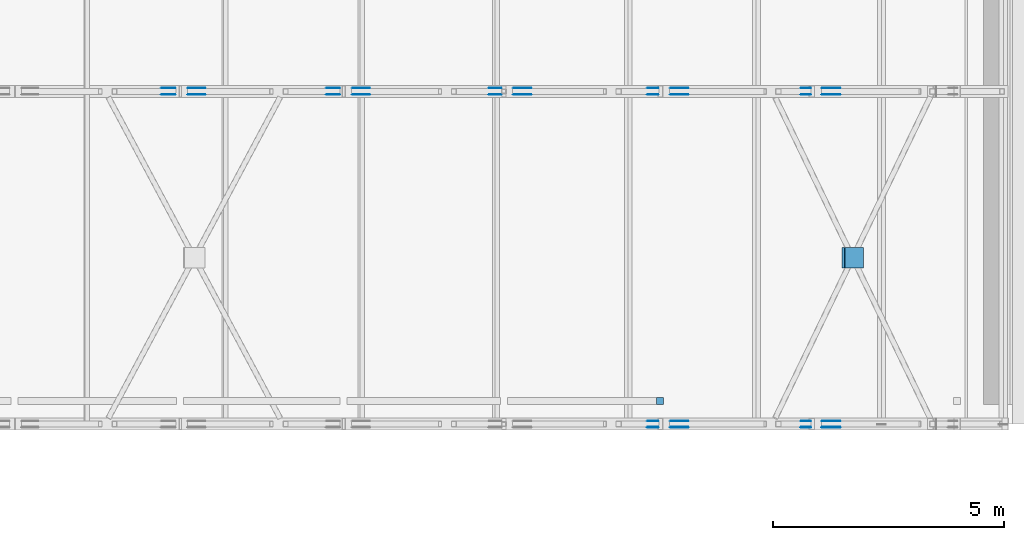
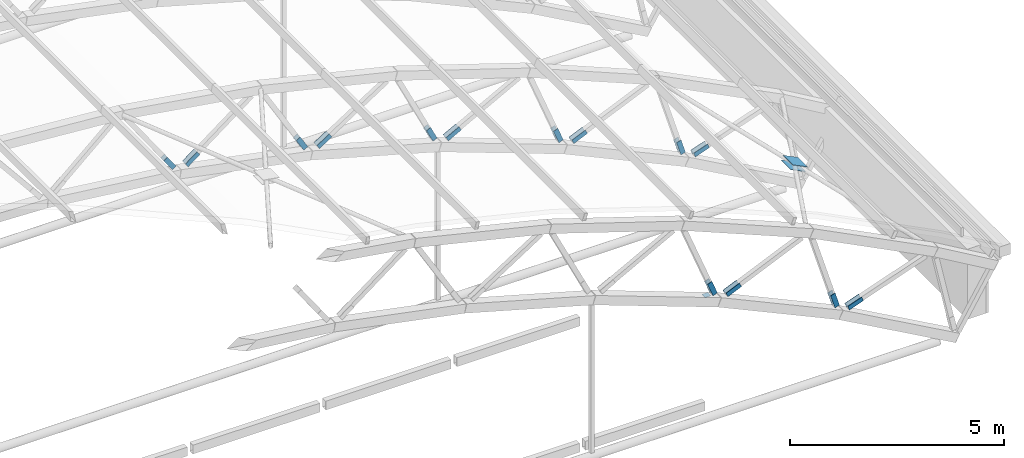
# One storey, part 87 of 127: 31 discrete accessories.
"""IFC4 building model written with IfcOpenShell, lengths in metres."""

from ifc_helpers import new_model, si_unit, direction, frame, origin, origin_2d, place, context, subcontext, project, spatial, rectangle, extrude, material, material_profile, profile_set, type_object, element, save


model = new_model("IFC4")

# Units and contexts
model_context = context("Model", 3, precision=1e-05, world=origin(), true_north=direction((0.0, 1.0)))
body_context = subcontext(model_context, "Body", "Model", "MODEL_VIEW")
ifc_project = project(units=[si_unit("LENGTHUNIT", "METRE"), si_unit("AREAUNIT", "SQUARE_METRE"), si_unit("VOLUMEUNIT", "CUBIC_METRE"), si_unit("PLANEANGLEUNIT", "RADIAN"), si_unit("MASSUNIT", "GRAM", prefix="KILO")], contexts=[model_context])

# Site, building, storey
site_placement = place(None, origin())
site = spatial("IfcSite", under=ifc_project, at=site_placement, CompositionType="ELEMENT")
building_placement = place(site_placement, origin())
building = spatial("IfcBuilding", under=site, at=building_placement, Name="Verrick Yard Athletic Hall", CompositionType="ELEMENT")
storey_placement = place(building_placement, frame((0.0, 0.0, 14.0)))
storey = spatial("IfcBuildingStorey", under=building, at=storey_placement, Name="L03", CompositionType="ELEMENT", Elevation=14.0)

# Discrete accessories
ifc_material = material(Name="Structural steel 350W (CSA G40.21)", Category="steel")
ifc_material_profile_1 = material_profile(ifc_material, rectangle(XDim=0.39990234375, YDim=0.126953125, at=origin_2d()), Name="Brace end cheek plate")
ifc_profile_set_1 = profile_set([ifc_material_profile_1], Name="Structural steel 350W (CSA G40.21)")
discrete_accessory_type_1 = type_object("IfcDiscreteAccessoryType", Name="Brace end cheek plate 400x127x12", PredefinedType="BRACKET", material=ifc_profile_set_1)
for number, where, z_axis, x_axis, name in (
    (1, (69.413330078125, 71.9365234375, 3.684814453125), (0.0, -1.0, 0.0), (-0.363562561074, 0.0, 0.931569784925), "Truss web end plate TB1-24 1"),
    (2, (69.413330078125, 72.0634765625, 3.684814453125), (0.0, 1.0, 0.0), (-0.363562561074, 0.0, 0.931569784925), "Truss web end plate TB1-24 2"),
    (3, (69.987060546875, 72.0634765625, 3.447509765625), (0.0, 1.0, 0.0), (0.915285173692, 0.0, 0.402806468194), "Truss web end plate TB1-25 1"),
    (4, (69.987060546875, 71.9365234375, 3.447509765625), (0.0, -1.0, 0.0), (0.915285173692, 0.0, 0.402806468194), "Truss web end plate TB1-25 2"),
    (5, (72.722412109375, 71.9365234375, 2.18896484375), (0.0, -1.0, 0.0), (-0.289473335175, 0.0, 0.95718607816), "Truss web end plate TB1-26 1"),
    (6, (72.722412109375, 72.0634765625, 2.18896484375), (0.0, 1.0, 0.0), (-0.289473335175, 0.0, 0.95718607816), "Truss web end plate TB1-26 2"),
    (7, (73.27587890625, 72.0634765625, 1.907470703125), (0.0, 1.0, 0.0), (0.944025603302, 0.0, 0.32987218784), "Truss web end plate TB1-27 1"),
    (8, (73.27587890625, 71.9365234375, 1.907470703125), (0.0, -1.0, 0.0), (0.944025603302, 0.0, 0.32987218784), "Truss web end plate TB1-27 2"),
    (9, (58.92822265625, 79.136474609375, 6.56103515625), (0.0, -1.0, 0.0), (-0.570674326681, 0.0, 0.821176480951), "Truss web end plate TB2-18 1"),
    (10, (58.92822265625, 79.263427734375, 6.56103515625), (0.0, 1.0, 0.0), (-0.570674326681, 0.0, 0.821176480951), "Truss web end plate TB2-18 2"),
    (11, (59.541748046875, 79.263427734375, 6.464111328125), (0.0, 1.0, 0.0), (0.796193473644, 0.0, 0.605042108061), "Truss web end plate TB2-19 1"),
    (12, (59.541748046875, 79.136474609375, 6.464111328125), (0.0, -1.0, 0.0), (0.796193473644, 0.0, 0.605042108061), "Truss web end plate TB2-19 2"),
    (13, (62.494873046875, 79.136474609375, 5.877685546875), (0.0, -1.0, 0.0), (-0.504596608522, 0.0, 0.863355235502), "Truss web end plate TB2-20 1"),
    (14, (62.494873046875, 79.263427734375, 5.877685546875), (0.0, 1.0, 0.0), (-0.504596608522, 0.0, 0.863355235502), "Truss web end plate TB2-20 2"),
    (15, (63.098876953125, 79.263427734375, 5.73291015625), (0.0, 1.0, 0.0), (0.841141186405, 0.0, 0.540815591984), "Truss web end plate TB2-21 1"),
    (16, (63.098876953125, 79.136474609375, 5.73291015625), (0.0, -1.0, 0.0), (0.841141186405, 0.0, 0.540815591984), "Truss web end plate TB2-21 2"),
    (17, (65.9970703125, 79.136474609375, 4.9169921875), (0.0, -1.0, 0.0), (-0.435417263932, 0.0, 0.90022875219), "Truss web end plate TB2-22 1"),
    (18, (65.9970703125, 79.263427734375, 4.9169921875), (0.0, 1.0, 0.0), (-0.435417263932, 0.0, 0.90022875219), "Truss web end plate TB2-22 2"),
    (19, (66.587890625, 79.263427734375, 4.725341796875), (0.0, 1.0, 0.0), (0.880919955637, 0.0, 0.473265286876), "Truss web end plate TB2-23 1"),
    (20, (66.587890625, 79.136474609375, 4.725341796875), (0.0, -1.0, 0.0), (0.880919955637, 0.0, 0.473265286876), "Truss web end plate TB2-23 2"),
    (21, (69.413330078125, 79.136474609375, 3.684814453125), (0.0, -1.0, 0.0), (-0.363562561074, 0.0, 0.931569784925), "Truss web end plate TB2-24 1"),
    (22, (69.413330078125, 79.263427734375, 3.684814453125), (0.0, 1.0, 0.0), (-0.363562561074, 0.0, 0.931569784925), "Truss web end plate TB2-24 2"),
    (23, (69.987060546875, 79.263427734375, 3.447509765625), (0.0, 1.0, 0.0), (0.915285173692, 0.0, 0.402806468194), "Truss web end plate TB2-25 1"),
    (24, (69.987060546875, 79.136474609375, 3.447509765625), (0.0, -1.0, 0.0), (0.915285173692, 0.0, 0.402806468194), "Truss web end plate TB2-25 2"),
    (25, (72.722412109375, 79.136474609375, 2.18896484375), (0.0, -1.0, 0.0), (-0.289473335175, 0.0, 0.95718607816), "Truss web end plate TB2-26 1"),
    (26, (72.722412109375, 79.263427734375, 2.18896484375), (0.0, 1.0, 0.0), (-0.289473335175, 0.0, 0.95718607816), "Truss web end plate TB2-26 2"),
    (27, (73.27587890625, 79.263427734375, 1.907470703125), (0.0, 1.0, 0.0), (0.944025603302, 0.0, 0.32987218784), "Truss web end plate TB2-27 1"),
    (28, (73.27587890625, 79.136474609375, 1.907470703125), (0.0, -1.0, 0.0), (0.944025603302, 0.0, 0.32987218784), "Truss web end plate TB2-27 2"),
):
    element("IfcDiscreteAccessory", number, at=place(storey_placement, frame(where, z_axis=z_axis, x_axis=x_axis)), inside=storey, type_object=discrete_accessory_type_1, Name=name, PredefinedType="BRACKET", context=body_context, shape_type="SweptSolid", body=[
        extrude(rectangle(XDim=0.39990234375, YDim=0.126953125, at=origin_2d()), origin(), (0.0, 0.0, 1.0), 0.011962890625),
    ])
ifc_material_profile_2 = material_profile(ifc_material, rectangle(XDim=0.449951171875, YDim=0.449951171875, at=origin_2d()), Name="Brace node plate")
ifc_profile_set_2 = profile_set([ifc_material_profile_2], Name="Structural steel 350W (CSA G40.21)")
discrete_accessory_type_2 = type_object("IfcDiscreteAccessoryType", Name="Brace node plate 450x450x12", PredefinedType="BRACKET", material=ifc_profile_set_2)
for number, where, z_axis, x_axis, name in (
    (29, (73.71630859375, 75.60009765625, 3.458251953125), (-0.4472135955, 0.0, -0.894427191), (0.0, -1.0, 0.0), "Brace node plate B1-12 1"),
    (30, (73.76806640625, 75.60009765625, 3.56005859375), (0.4472135955, 0.0, 0.894427191), (0.0, 1.0, 0.0), "Brace node plate B1-12 2"),
):
    element("IfcDiscreteAccessory", number, at=place(storey_placement, frame(where, z_axis=z_axis, x_axis=x_axis)), inside=storey, type_object=discrete_accessory_type_2, Name=name, PredefinedType="BRACKET", context=body_context, shape_type="SweptSolid", body=[
        extrude(rectangle(XDim=0.449951171875, YDim=0.449951171875, at=origin_2d()), origin(), (0.0, 0.0, 1.0), 0.011962890625),
    ])
ifc_material_profile_3 = material_profile(ifc_material, rectangle(XDim=0.15234375, YDim=0.15234375, at=origin_2d()), Name="STR End cap plate 152x152x9.5")
ifc_profile_set_3 = profile_set([ifc_material_profile_3], Name="Structural steel 350W (CSA G40.21)")
discrete_accessory_type_3 = type_object("IfcDiscreteAccessoryType", Name="STR End cap plate 152x152x9.5", PredefinedType="BRACKET", material=ifc_profile_set_3)
discrete_accessory_placement = place(storey_placement, frame((69.576416015625, 72.49462890625, 3.092041015625), z_axis=(0.0, 0.0, 1.0), x_axis=(1.0, 0.0, 0.0)))
element("IfcDiscreteAccessory", 31, at=discrete_accessory_placement, inside=storey, type_object=discrete_accessory_type_3, Name="End cap HB-GP-BS-12 B", PredefinedType="BRACKET", context=body_context, shape_type="SweptSolid", body=[
    extrude(rectangle(XDim=0.15234375, YDim=0.15234375, at=origin_2d()), origin(), (0.0, 0.0, 1.0), 0.010009765625),
])

save(model, "model.ifc")
